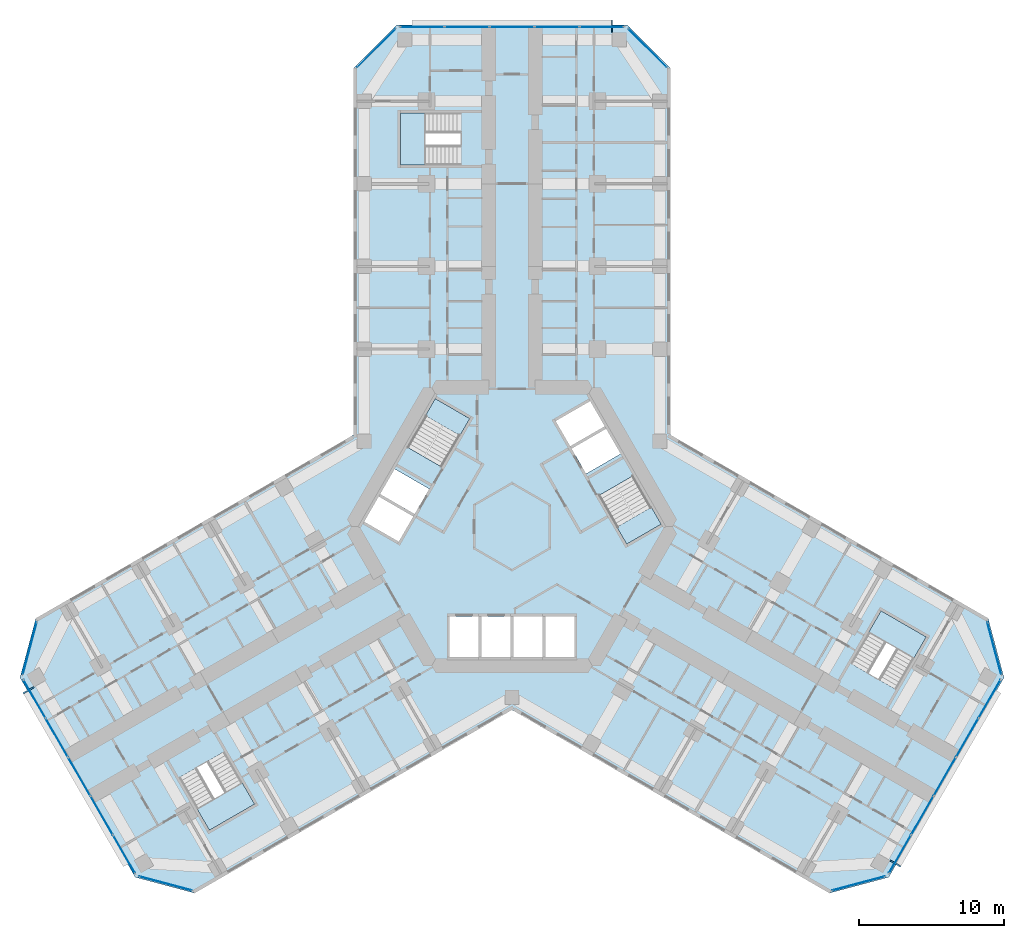
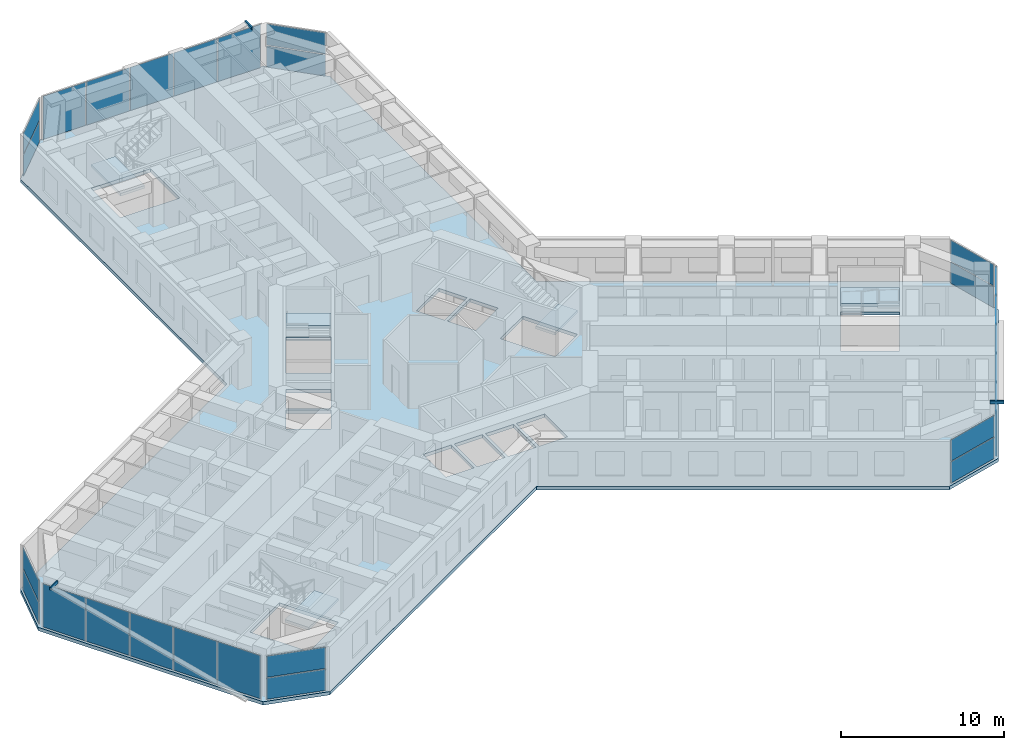
# One storey, part 9 of 21: 27 plates, 6 slabs, 3 members, 14 elements without a shape of their own.
"""IFC4 building model written with IfcOpenShell, lengths in metres."""

import ifcopenshell
import ifcopenshell.guid

model = None  # the IFC model being written
_history = None  # IfcOwnerHistory: only IFC2X3 demands one
_inside = {}  # id of a spatial element -> (the spatial element, [elements in it])
_under = {}  # id of a project, library or spatial element -> (it, [spatial elements below it])
_declared = {}  # id of a project -> (the project, [libraries it declares])
_typed = {}  # id of a type object -> (the type object, [elements of that type])
_made_of = {}  # id of a material, layer set ... -> (it, [elements and type objects made of it])


def new_model(schema):
    """Start an empty IFC model of exactly this schema.

    Asked for "IFC4X3", IfcOpenShell would pick the latest addendum, in which some entities
    have other attributes; the version numbers below select the first issue.
    IFC2X3 requires an IfcOwnerHistory on every rooted entity: one is made here for all.
    """
    global model, _history
    if schema == "IFC4X3":
        model = ifcopenshell.file(schema_version=(4, 3, 0, 0))
    else:
        model = ifcopenshell.file(schema=schema)
    _inside.clear()
    _under.clear()
    _declared.clear()
    _typed.clear()
    _made_of.clear()
    _history = None
    if model.schema == "IFC2X3":
        org = make("IfcOrganization", Name="unknown")
        user = make(
            "IfcPersonAndOrganization",
            ThePerson=make("IfcPerson", FamilyName="unknown"),
            TheOrganization=org,
        )
        app = make(
            "IfcApplication",
            ApplicationDeveloper=org,
            Version="unknown",
            ApplicationFullName="unknown",
            ApplicationIdentifier="unknown",
        )
        _history = make(
            "IfcOwnerHistory",
            OwningUser=user,
            OwningApplication=app,
            ChangeAction="ADDED",
            CreationDate=0,
        )
    return model


def make(cls, **values):
    """One entity of the class cls with the attributes given. An attribute that is None is left unset."""
    return model.create_entity(
        cls, **{name: value for name, value in values.items() if value is not None}
    )


def rooted(cls, **values):
    """An entity with a GlobalId (a new one), such as an element, a storey or a relation."""
    return make(cls, GlobalId=ifcopenshell.guid.new(), OwnerHistory=_history, **values)


def si_unit(unit_type, name, prefix=None):
    """IfcSIUnit, for example si_unit("LENGTHUNIT", "METRE", prefix="MILLI")."""
    return make("IfcSIUnit", UnitType=unit_type, Prefix=prefix, Name=name)


def assignment(units):
    """IfcUnitAssignment: the units of a project."""
    return None if units is None else make("IfcUnitAssignment", Units=units)


def point(xyz):
    """IfcCartesianPoint."""
    return None if xyz is None else make("IfcCartesianPoint", Coordinates=xyz)


def direction(xyz):
    """IfcDirection."""
    return None if xyz is None else make("IfcDirection", DirectionRatios=xyz)


def frame(location, z_axis=None, x_axis=None):
    """IfcAxis2Placement3D, a coordinate frame: its origin and axes. An axis left out is left unset."""
    return make(
        "IfcAxis2Placement3D",
        Location=point(location),
        Axis=direction(z_axis),
        RefDirection=direction(x_axis),
    )


def frame_2d(location, x_axis=None):
    """IfcAxis2Placement2D, a coordinate frame in the plane: its origin and x axis."""
    return make(
        "IfcAxis2Placement2D", Location=point(location), RefDirection=direction(x_axis)
    )


def origin():
    """The frame at (0, 0, 0) with its axes left unset."""
    return frame((0.0, 0.0, 0.0))


def origin_2d():
    """The frame at (0, 0) in the plane with its x axis left unset."""
    return frame_2d((0.0, 0.0))


def place(relative_to, where):
    """IfcLocalPlacement: puts the frame where relative to a parent placement (None: the world)."""
    return make(
        "IfcLocalPlacement", PlacementRelTo=relative_to, RelativePlacement=where
    )


def context(
    kind, dimensions, precision=None, world=None, true_north=None, identifier=None
):
    """IfcGeometricRepresentationContext, for example the 3D "Model" context."""
    return make(
        "IfcGeometricRepresentationContext",
        ContextIdentifier=identifier,
        ContextType=kind,
        CoordinateSpaceDimension=dimensions,
        Precision=precision,
        WorldCoordinateSystem=world,
        TrueNorth=true_north,
    )


def subcontext(parent, identifier, kind, view, scale=None):
    """IfcGeometricRepresentationSubContext, for example "Body" below "Model"."""
    return make(
        "IfcGeometricRepresentationSubContext",
        ContextIdentifier=identifier,
        ContextType=kind,
        ParentContext=parent,
        TargetScale=scale,
        TargetView=view,
    )


def project(units=None, contexts=None):
    """IfcProject with its units and contexts."""
    return rooted(
        "IfcProject",
        Name="project",
        RepresentationContexts=contexts,
        UnitsInContext=assignment(units),
    )


def spatial(cls, under=None, at=None, **own):
    """A site, building, storey or space (cls), placed at a placement, below another one or the project."""
    s = rooted(cls, ObjectPlacement=at, **own)
    if under is not None:
        _under.setdefault(under.id(), (under, []))[1].append(s)
    return s


def polyline(points):
    """IfcPolyline through the points."""
    return make("IfcPolyline", Points=[point(p) for p in points])


def profile(cls, at=None, kind="AREA", **sizes):
    """A parametric profile (cls). Its sizes go by their IFC names, for example OverallWidth=200.0."""
    return make(cls, ProfileType=kind, Position=at, **sizes)


def rectangle(**sizes):
    """IfcRectangleProfileDef."""
    return profile("IfcRectangleProfileDef", **sizes)


def hollow_rectangle(**sizes):
    """IfcRectangleHollowProfileDef."""
    return profile("IfcRectangleHollowProfileDef", **sizes)


def outline(outer, holes=None, kind="AREA"):
    """IfcArbitraryClosedProfileDef: a profile drawn as a closed curve; with holes, ...WithVoids."""
    if holes is None:
        return make("IfcArbitraryClosedProfileDef", ProfileType=kind, OuterCurve=outer)
    return make(
        "IfcArbitraryProfileDefWithVoids",
        ProfileType=kind,
        OuterCurve=outer,
        InnerCurves=holes,
    )


def extrude(swept, where, along, depth):
    """IfcExtrudedAreaSolid: the profile swept, set in the frame where, extruded along a direction by depth."""
    return make(
        "IfcExtrudedAreaSolid",
        SweptArea=swept,
        Position=where,
        ExtrudedDirection=direction(along),
        Depth=depth,
    )


def shape(context_of_items, identifier, shape_type, items):
    """IfcShapeRepresentation: the items that make up one representation, for example the "Body"."""
    return make(
        "IfcShapeRepresentation",
        ContextOfItems=context_of_items,
        RepresentationIdentifier=identifier,
        RepresentationType=shape_type,
        Items=items,
    )


def material(Name=None, Category=None):
    """IfcMaterial."""
    return make("IfcMaterial", Name=Name, Category=Category)


def layer(
    of_material, thickness, ventilated=None, Name=None, Category=None, Priority=None
):
    """IfcMaterialLayer: one layer of a wall or slab, of a material (None: an air gap)."""
    return make(
        "IfcMaterialLayer",
        Material=of_material,
        LayerThickness=thickness,
        IsVentilated=ventilated,
        Name=Name,
        Category=Category,
        Priority=Priority,
    )


def layer_set(layers, Name=None):
    """IfcMaterialLayerSet."""
    return make("IfcMaterialLayerSet", MaterialLayers=layers, LayerSetName=Name)


def material_profile(
    of_material, cross_section, Name=None, Category=None, Priority=None
):
    """IfcMaterialProfile: a cross section and its material."""
    return make(
        "IfcMaterialProfile",
        Name=Name,
        Material=of_material,
        Profile=cross_section,
        Priority=Priority,
        Category=Category,
    )


def profile_set(profiles, Name=None, composite=None):
    """IfcMaterialProfileSet."""
    return make(
        "IfcMaterialProfileSet",
        Name=Name,
        MaterialProfiles=profiles,
        CompositeProfile=composite,
    )


def made_of(thing, what):
    """Note that an element or type object is made of a material, layer set ...; save() writes the relation."""
    if what is not None:
        _made_of.setdefault(what.id(), (what, []))[1].append(thing)
    return thing


def type_object(cls, material=None, **own):
    """A type object (cls), such as IfcWallType, which elements share."""
    return made_of(rooted(cls, **own), material)


def element(
    cls,
    number,
    at=None,
    inside=None,
    cuts=None,
    type_object=None,
    material=None,
    context=None,
    identifier="Body",
    shape_type=None,
    held_by="IfcProductDefinitionShape",
    body=None,
    shapes=None,
    **own,
):
    """One element of the class cls, such as IfcWall. Its Tag is "e" and its number.

    at: its placement. inside: the storey or other place that contains it. cuts: it is an
    opening in that element (IfcRelVoidsElement). A single representation is given by context,
    identifier, shape_type and body (its items); several are given by shapes. held_by: the class
    of the entity that holds the representations. save() writes the other relations.
    """
    e = rooted(cls, Tag="e%d" % number, ObjectPlacement=at, **own)
    if body is not None:
        shapes = [shape(context, identifier, shape_type, body)]
    if shapes is not None:
        e.Representation = make(held_by, Representations=shapes)
    if inside is not None:
        _inside.setdefault(inside.id(), (inside, []))[1].append(e)
    if cuts is not None:
        rooted(
            "IfcRelVoidsElement", RelatingBuildingElement=cuts, RelatedOpeningElement=e
        )
    if type_object is not None:
        _typed.setdefault(type_object.id(), (type_object, []))[1].append(e)
    return made_of(e, material)


def aggregate(whole, parts):
    """IfcRelAggregates: a whole, such as a stair, and the parts it consists of."""
    return rooted("IfcRelAggregates", RelatingObject=whole, RelatedObjects=parts)


def save(model, path):
    """Write the relations noted so far, then the file.

    IfcRelAggregates (storeys below a building ...), IfcRelContainedInSpatialStructure (elements
    in a storey), IfcRelDefinesByType, IfcRelAssociatesMaterial and IfcRelDeclares: one each for
    every whole, place, type object, material and project.
    """
    for whole, parts in _under.values():
        aggregate(whole, parts)
    for where, things in _inside.values():
        rooted(
            "IfcRelContainedInSpatialStructure",
            RelatedElements=things,
            RelatingStructure=where,
        )
    for kind, things in _typed.values():
        rooted("IfcRelDefinesByType", RelatedObjects=things, RelatingType=kind)
    for what, things in _made_of.values():
        rooted("IfcRelAssociatesMaterial", RelatedObjects=things, RelatingMaterial=what)
    for by, libraries in _declared.values():
        rooted("IfcRelDeclares", RelatingContext=by, RelatedDefinitions=libraries)
    model.write(path)


model = new_model("IFC4")

# Units and contexts
model_context = context("Model", 3, precision=1e-05, world=origin(), true_north=direction((0.0, 1.0)))
body_context = subcontext(model_context, "Body", "Model", "MODEL_VIEW")
ifc_project = project(units=[si_unit("LENGTHUNIT", "METRE"), si_unit("AREAUNIT", "SQUARE_METRE"), si_unit("VOLUMEUNIT", "CUBIC_METRE"), si_unit("PLANEANGLEUNIT", "RADIAN"), si_unit("MASSUNIT", "GRAM", prefix="KILO")], contexts=[model_context])

# Site, building, storey
site_placement = place(None, origin())
site = spatial("IfcSite", under=ifc_project, at=site_placement, CompositionType="ELEMENT")
building_placement = place(site_placement, origin())
building = spatial("IfcBuilding", under=site, at=building_placement, Name="Kosmar Iwan School Tower", CompositionType="ELEMENT")
storey_placement = place(building_placement, frame((0.0, 0.0, 50.199951171875)))
storey = spatial("IfcBuildingStorey", under=building, at=storey_placement, Name="L11", CompositionType="ELEMENT", Elevation=50.199951171875)

# Members
ifc_material_1 = material(Name="Steel S355", Category="steel")
ifc_material_profile = material_profile(ifc_material_1, hollow_rectangle(XDim=0.10009765625, YDim=0.199951171875, WallThickness=0.008056640625, at=origin_2d()), Name="RHS 200x100x8")
ifc_profile_set = profile_set([ifc_material_profile], Name="Steel S355")
member_type = type_object("IfcMemberType", Name="Fin bracket RHS 200x100", PredefinedType="USERDEFINED", material=ifc_profile_set)
member_1_placement = place(storey_placement, frame((26.08154296875, -23.025634765625, 3.47509765625), z_axis=(0.865989465428, -0.500062241894, 0.0), x_axis=(0.500062241894, 0.865989465428, 0.0)))
element("IfcMember", 1, at=member_1_placement, inside=storey, type_object=member_type, Name="Fin bracket L12", ObjectType="FIN BRACKET", PredefinedType="USERDEFINED", context=body_context, shape_type="SweptSolid", body=[
    extrude(hollow_rectangle(XDim=0.10009765625, YDim=0.199951171875, WallThickness=0.008056640625, at=origin_2d()), origin(), (0.0, 0.0, 1.0), 0.85009765625),
])
member_2_placement = place(storey_placement, frame((6.89990234375, 34.10009765625, 3.47509765625), z_axis=(0.0, 1.0, 0.0), x_axis=(-1.0, 0.0, 0.0)))
element("IfcMember", 2, at=member_2_placement, inside=storey, type_object=member_type, Name="Fin bracket L12", ObjectType="FIN BRACKET", PredefinedType="USERDEFINED", context=body_context, shape_type="SweptSolid", body=[
    extrude(hollow_rectangle(XDim=0.10009765625, YDim=0.199951171875, WallThickness=0.008056640625, at=origin_2d()), origin(), (0.0, 0.0, 1.0), 0.849853515625),
])
member_3_placement = place(storey_placement, frame((-32.9814453125, -11.074462890625, 3.47509765625), z_axis=(-0.865989465428, -0.500062241894, 0.0), x_axis=(0.500062241894, -0.865989465428, 0.0)))
element("IfcMember", 3, at=member_3_placement, inside=storey, type_object=member_type, Name="Fin bracket L12", ObjectType="FIN BRACKET", PredefinedType="USERDEFINED", context=body_context, shape_type="SweptSolid", body=[
    extrude(hollow_rectangle(XDim=0.10009765625, YDim=0.199951171875, WallThickness=0.008056640625, at=origin_2d()), origin(), (0.0, 0.0, 1.0), 0.85009765625),
])

# Curtain wall, plates
ifc_material_2 = material(Name="Dark glass in black aluminium frame", Category="aluminium")
curtain_wall_type_1 = type_object("IfcCurtainWallType", Name="Chamfer curtain wall dark glass", PredefinedType="USERDEFINED", material=ifc_material_2)
curtain_wall_1_placement = place(storey_placement, origin())
curtain_wall_1 = element("IfcCurtainWall", 4, at=curtain_wall_1_placement, inside=storey, type_object=curtain_wall_type_1, Name="Curtain wall L11-F02", ObjectType="FACETED CURTAIN WALL", PredefinedType="USERDEFINED")
ifc_material_3 = material(Name="Dark glass", Category="glass")
ifc_layer_1 = layer(ifc_material_3, 0.028076171875)
ifc_layer_set_1 = layer_set([ifc_layer_1], Name="Dark glass panel 28")
plate_type = type_object("IfcPlateType", Name="Dark glass panel 28", PredefinedType="CURTAIN_PANEL", material=ifc_layer_set_1)
plate_1_placement = place(storey_placement, frame((23.908203125, -24.61328125, 0.06005859375), z_axis=(0.0, 0.0, 1.0), x_axis=(0.965925875495, 0.258818861462, 0.0)))
plate_1 = element("IfcPlate", 5, at=plate_1_placement, type_object=plate_type, Name="CW2 panel 1.1", PredefinedType="CURTAIN_PANEL", context=body_context, shape_type="SweptSolid", body=[
    extrude(rectangle(XDim=3.718994140625, YDim=0.028076171875, at=origin_2d()), origin(), (0.0, 0.0, 1.0), 1.5849609375),
])
plate_2_placement = place(storey_placement, frame((23.908203125, -24.61328125, 1.705078125), z_axis=(0.0, 0.0, 1.0), x_axis=(0.965925875495, 0.258818861462, 0.0)))
plate_2 = element("IfcPlate", 6, at=plate_2_placement, type_object=plate_type, Name="CW2 panel 1.2", PredefinedType="CURTAIN_PANEL", context=body_context, shape_type="SweptSolid", body=[
    extrude(rectangle(XDim=3.718994140625, YDim=0.028076171875, at=origin_2d()), origin(), (0.0, 0.0, 1.0), 1.5849609375),
])
aggregate(curtain_wall_1, [plate_1, plate_2])

ifc_material_4 = material(Name="Dark glass in black aluminium frame", Category="aluminium")
curtain_wall_type_2 = type_object("IfcCurtainWallType", Name="Tower curtain wall dark glass", PredefinedType="USERDEFINED", material=ifc_material_4)
curtain_wall_2_placement = place(storey_placement, origin())
curtain_wall_2 = element("IfcCurtainWall", 7, at=curtain_wall_2_placement, inside=storey, type_object=curtain_wall_type_2, Name="Curtain wall L11-F03", ObjectType="UNITISED CURTAIN WALL", PredefinedType="USERDEFINED")
plate_3_placement = place(storey_placement, frame((26.764404296875, -22.592529296875, 0.06005859375), z_axis=(0.0, 0.0, 1.0), x_axis=(0.499999997325, 0.866025405329, 0.0)))
plate_3 = element("IfcPlate", 8, at=plate_3_placement, type_object=plate_type, Name="CW1 panel 1.1", PredefinedType="CURTAIN_PANEL", context=body_context, shape_type="SweptSolid", body=[
    extrude(rectangle(XDim=3.00927734375, YDim=0.028076171875, at=origin_2d()), origin(), (0.0, 0.0, 1.0), 3.22998046875),
])
plate_4_placement = place(storey_placement, frame((28.306640625, -19.921630859375, 0.06005859375), z_axis=(0.0, 0.0, 1.0), x_axis=(0.499999997325, 0.866025405329, 0.0)))
plate_4 = element("IfcPlate", 9, at=plate_4_placement, type_object=plate_type, Name="CW1 panel 2.1", PredefinedType="CURTAIN_PANEL", context=body_context, shape_type="SweptSolid", body=[
    extrude(rectangle(XDim=3.039306640625, YDim=0.028076171875, at=origin_2d()), origin(), (0.0, 0.0, 1.0), 3.22998046875),
])
plate_5_placement = place(storey_placement, frame((29.856201171875, -17.237548828125, 0.06005859375), z_axis=(0.0, 0.0, 1.0), x_axis=(0.499999997325, 0.866025405329, 0.0)))
plate_5 = element("IfcPlate", 10, at=plate_5_placement, type_object=plate_type, Name="CW1 panel 3.1", PredefinedType="CURTAIN_PANEL", context=body_context, shape_type="SweptSolid", body=[
    extrude(rectangle(XDim=3.039306640625, YDim=0.028076171875, at=origin_2d()), origin(), (0.0, 0.0, 1.0), 3.22998046875),
])
plate_6_placement = place(storey_placement, frame((31.40576171875, -14.553466796875, 0.06005859375), z_axis=(0.0, 0.0, 1.0), x_axis=(0.499999997325, 0.866025405329, 0.0)))
plate_6 = element("IfcPlate", 11, at=plate_6_placement, type_object=plate_type, Name="CW1 panel 4.1", PredefinedType="CURTAIN_PANEL", context=body_context, shape_type="SweptSolid", body=[
    extrude(rectangle(XDim=3.039306640625, YDim=0.028076171875, at=origin_2d()), origin(), (0.0, 0.0, 1.0), 3.22998046875),
])
plate_7_placement = place(storey_placement, frame((32.947998046875, -11.88232421875, 0.06005859375), z_axis=(0.0, 0.0, 1.0), x_axis=(0.499999997325, 0.866025405329, 0.0)))
plate_7 = element("IfcPlate", 12, at=plate_7_placement, type_object=plate_type, Name="CW1 panel 5.1", PredefinedType="CURTAIN_PANEL", context=body_context, shape_type="SweptSolid", body=[
    extrude(rectangle(XDim=3.00927734375, YDim=0.028076171875, at=origin_2d()), origin(), (0.0, 0.0, 1.0), 3.22998046875),
])
aggregate(curtain_wall_2, [plate_3, plate_4, plate_5, plate_6, plate_7])

curtain_wall_3_placement = place(storey_placement, origin())
curtain_wall_3 = element("IfcCurtainWall", 13, at=curtain_wall_3_placement, inside=storey, type_object=curtain_wall_type_1, Name="Curtain wall L11-F04", ObjectType="FACETED CURTAIN WALL", PredefinedType="USERDEFINED")
plate_8_placement = place(storey_placement, frame((33.269775390625, -8.3984375, 0.06005859375), z_axis=(0.0, 0.0, 1.0), x_axis=(-0.258818861462, 0.965925875495, 0.0)))
plate_8 = element("IfcPlate", 14, at=plate_8_placement, type_object=plate_type, Name="CW2 panel 1.1", PredefinedType="CURTAIN_PANEL", context=body_context, shape_type="SweptSolid", body=[
    extrude(rectangle(XDim=3.718994140625, YDim=0.028076171875, at=origin_2d()), origin(), (0.0, 0.0, 1.0), 1.5849609375),
])
plate_9_placement = place(storey_placement, frame((33.269775390625, -8.3984375, 1.705078125), z_axis=(0.0, 0.0, 1.0), x_axis=(-0.258818861462, 0.965925875495, 0.0)))
plate_9 = element("IfcPlate", 15, at=plate_9_placement, type_object=plate_type, Name="CW2 panel 1.2", PredefinedType="CURTAIN_PANEL", context=body_context, shape_type="SweptSolid", body=[
    extrude(rectangle(XDim=3.718994140625, YDim=0.028076171875, at=origin_2d()), origin(), (0.0, 0.0, 1.0), 1.5849609375),
])
aggregate(curtain_wall_3, [plate_8, plate_9])

curtain_wall_4_placement = place(storey_placement, origin())
curtain_wall_4 = element("IfcCurtainWall", 16, at=curtain_wall_4_placement, inside=storey, type_object=curtain_wall_type_1, Name="Curtain wall L11-F07", ObjectType="FACETED CURTAIN WALL", PredefinedType="USERDEFINED")
plate_10_placement = place(storey_placement, frame((9.361572265625, 33.01171875, 0.06005859375), z_axis=(0.0, 0.0, 1.0), x_axis=(-0.707106781187, 0.707106781187, 0.0)))
plate_10 = element("IfcPlate", 17, at=plate_10_placement, type_object=plate_type, Name="CW2 panel 1.1", PredefinedType="CURTAIN_PANEL", context=body_context, shape_type="SweptSolid", body=[
    extrude(rectangle(XDim=3.718994140625, YDim=0.028076171875, at=origin_2d()), origin(), (0.0, 0.0, 1.0), 1.5849609375),
])
plate_11_placement = place(storey_placement, frame((9.361572265625, 33.01171875, 1.705078125), z_axis=(0.0, 0.0, 1.0), x_axis=(-0.707106781187, 0.707106781187, 0.0)))
plate_11 = element("IfcPlate", 18, at=plate_11_placement, type_object=plate_type, Name="CW2 panel 1.2", PredefinedType="CURTAIN_PANEL", context=body_context, shape_type="SweptSolid", body=[
    extrude(rectangle(XDim=3.718994140625, YDim=0.028076171875, at=origin_2d()), origin(), (0.0, 0.0, 1.0), 1.5849609375),
])
aggregate(curtain_wall_4, [plate_10, plate_11])

curtain_wall_5_placement = place(storey_placement, origin())
curtain_wall_5 = element("IfcCurtainWall", 19, at=curtain_wall_5_placement, inside=storey, type_object=curtain_wall_type_2, Name="Curtain wall L11-F08", ObjectType="UNITISED CURTAIN WALL", PredefinedType="USERDEFINED")
plate_12_placement = place(storey_placement, frame((6.18359375, 34.47509765625, 0.06005859375), z_axis=(0.0, 0.0, 1.0), x_axis=(-1.0, 0.0, 0.0)))
plate_12 = element("IfcPlate", 20, at=plate_12_placement, type_object=plate_type, Name="CW1 panel 1.1", PredefinedType="CURTAIN_PANEL", context=body_context, shape_type="SweptSolid", body=[
    extrude(rectangle(XDim=3.00927734375, YDim=0.028076171875, at=origin_2d()), origin(), (0.0, 0.0, 1.0), 3.22998046875),
])
plate_13_placement = place(storey_placement, frame((3.099365234375, 34.47509765625, 0.06005859375), z_axis=(0.0, 0.0, 1.0), x_axis=(-1.0, 0.0, 0.0)))
plate_13 = element("IfcPlate", 21, at=plate_13_placement, type_object=plate_type, Name="CW1 panel 2.1", PredefinedType="CURTAIN_PANEL", context=body_context, shape_type="SweptSolid", body=[
    extrude(rectangle(XDim=3.039306640625, YDim=0.028076171875, at=origin_2d()), origin(), (0.0, 0.0, 1.0), 3.22998046875),
])
plate_14_placement = place(storey_placement, frame((0.0, 34.47509765625, 0.06005859375), z_axis=(0.0, 0.0, 1.0), x_axis=(-1.0, 0.0, 0.0)))
plate_14 = element("IfcPlate", 22, at=plate_14_placement, type_object=plate_type, Name="CW1 panel 3.1", PredefinedType="CURTAIN_PANEL", context=body_context, shape_type="SweptSolid", body=[
    extrude(rectangle(XDim=3.039306640625, YDim=0.028076171875, at=origin_2d()), origin(), (0.0, 0.0, 1.0), 3.22998046875),
])
plate_15_placement = place(storey_placement, frame((-3.099365234375, 34.47509765625, 0.06005859375), z_axis=(0.0, 0.0, 1.0), x_axis=(-1.0, 0.0, 0.0)))
plate_15 = element("IfcPlate", 23, at=plate_15_placement, type_object=plate_type, Name="CW1 panel 4.1", PredefinedType="CURTAIN_PANEL", context=body_context, shape_type="SweptSolid", body=[
    extrude(rectangle(XDim=3.039306640625, YDim=0.028076171875, at=origin_2d()), origin(), (0.0, 0.0, 1.0), 3.22998046875),
])
plate_16_placement = place(storey_placement, frame((-6.18359375, 34.47509765625, 0.06005859375), z_axis=(0.0, 0.0, 1.0), x_axis=(-1.0, 0.0, 0.0)))
plate_16 = element("IfcPlate", 24, at=plate_16_placement, type_object=plate_type, Name="CW1 panel 5.1", PredefinedType="CURTAIN_PANEL", context=body_context, shape_type="SweptSolid", body=[
    extrude(rectangle(XDim=3.00927734375, YDim=0.028076171875, at=origin_2d()), origin(), (0.0, 0.0, 1.0), 3.22998046875),
])
aggregate(curtain_wall_5, [plate_12, plate_13, plate_14, plate_15, plate_16])

curtain_wall_6_placement = place(storey_placement, origin())
curtain_wall_6 = element("IfcCurtainWall", 25, at=curtain_wall_6_placement, inside=storey, type_object=curtain_wall_type_1, Name="Curtain wall L11-F09", ObjectType="FACETED CURTAIN WALL", PredefinedType="USERDEFINED")
plate_17_placement = place(storey_placement, frame((-9.361572265625, 33.01171875, 0.06005859375), z_axis=(0.0, 0.0, 1.0), x_axis=(-0.707106781187, -0.707106781187, 0.0)))
plate_17 = element("IfcPlate", 26, at=plate_17_placement, type_object=plate_type, Name="CW2 panel 1.1", PredefinedType="CURTAIN_PANEL", context=body_context, shape_type="SweptSolid", body=[
    extrude(rectangle(XDim=3.718994140625, YDim=0.028076171875, at=origin_2d()), origin(), (0.0, 0.0, 1.0), 1.5849609375),
])
plate_18_placement = place(storey_placement, frame((-9.361572265625, 33.01171875, 1.705078125), z_axis=(0.0, 0.0, 1.0), x_axis=(-0.707106781187, -0.707106781187, 0.0)))
plate_18 = element("IfcPlate", 27, at=plate_18_placement, type_object=plate_type, Name="CW2 panel 1.2", PredefinedType="CURTAIN_PANEL", context=body_context, shape_type="SweptSolid", body=[
    extrude(rectangle(XDim=3.718994140625, YDim=0.028076171875, at=origin_2d()), origin(), (0.0, 0.0, 1.0), 1.5849609375),
])
aggregate(curtain_wall_6, [plate_17, plate_18])

curtain_wall_7_placement = place(storey_placement, origin())
curtain_wall_7 = element("IfcCurtainWall", 28, at=curtain_wall_7_placement, inside=storey, type_object=curtain_wall_type_1, Name="Curtain wall L11-F12", ObjectType="FACETED CURTAIN WALL", PredefinedType="USERDEFINED")
plate_19_placement = place(storey_placement, frame((-33.269775390625, -8.3984375, 0.06005859375), z_axis=(0.0, 0.0, 1.0), x_axis=(-0.258818861462, -0.965925875495, 0.0)))
plate_19 = element("IfcPlate", 29, at=plate_19_placement, type_object=plate_type, Name="CW2 panel 1.1", PredefinedType="CURTAIN_PANEL", context=body_context, shape_type="SweptSolid", body=[
    extrude(rectangle(XDim=3.718994140625, YDim=0.028076171875, at=origin_2d()), origin(), (0.0, 0.0, 1.0), 1.5849609375),
])
plate_20_placement = place(storey_placement, frame((-33.269775390625, -8.3984375, 1.705078125), z_axis=(0.0, 0.0, 1.0), x_axis=(-0.258818861462, -0.965925875495, 0.0)))
plate_20 = element("IfcPlate", 30, at=plate_20_placement, type_object=plate_type, Name="CW2 panel 1.2", PredefinedType="CURTAIN_PANEL", context=body_context, shape_type="SweptSolid", body=[
    extrude(rectangle(XDim=3.718994140625, YDim=0.028076171875, at=origin_2d()), origin(), (0.0, 0.0, 1.0), 1.5849609375),
])
aggregate(curtain_wall_7, [plate_19, plate_20])

curtain_wall_8_placement = place(storey_placement, origin())
curtain_wall_8 = element("IfcCurtainWall", 31, at=curtain_wall_8_placement, inside=storey, type_object=curtain_wall_type_2, Name="Curtain wall L11-F13", ObjectType="UNITISED CURTAIN WALL", PredefinedType="USERDEFINED")
plate_21_placement = place(storey_placement, frame((-32.947998046875, -11.88232421875, 0.06005859375), z_axis=(0.0, 0.0, 1.0), x_axis=(0.499999997325, -0.866025405329, 0.0)))
plate_21 = element("IfcPlate", 32, at=plate_21_placement, type_object=plate_type, Name="CW1 panel 1.1", PredefinedType="CURTAIN_PANEL", context=body_context, shape_type="SweptSolid", body=[
    extrude(rectangle(XDim=3.00927734375, YDim=0.028076171875, at=origin_2d()), origin(), (0.0, 0.0, 1.0), 3.22998046875),
])
plate_22_placement = place(storey_placement, frame((-31.40576171875, -14.553466796875, 0.06005859375), z_axis=(0.0, 0.0, 1.0), x_axis=(0.499999997325, -0.866025405329, 0.0)))
plate_22 = element("IfcPlate", 33, at=plate_22_placement, type_object=plate_type, Name="CW1 panel 2.1", PredefinedType="CURTAIN_PANEL", context=body_context, shape_type="SweptSolid", body=[
    extrude(rectangle(XDim=3.039306640625, YDim=0.028076171875, at=origin_2d()), origin(), (0.0, 0.0, 1.0), 3.22998046875),
])
plate_23_placement = place(storey_placement, frame((-29.856201171875, -17.237548828125, 0.06005859375), z_axis=(0.0, 0.0, 1.0), x_axis=(0.499999997325, -0.866025405329, 0.0)))
plate_23 = element("IfcPlate", 34, at=plate_23_placement, type_object=plate_type, Name="CW1 panel 3.1", PredefinedType="CURTAIN_PANEL", context=body_context, shape_type="SweptSolid", body=[
    extrude(rectangle(XDim=3.039306640625, YDim=0.028076171875, at=origin_2d()), origin(), (0.0, 0.0, 1.0), 3.22998046875),
])
plate_24_placement = place(storey_placement, frame((-28.306640625, -19.921630859375, 0.06005859375), z_axis=(0.0, 0.0, 1.0), x_axis=(0.499999997325, -0.866025405329, 0.0)))
plate_24 = element("IfcPlate", 35, at=plate_24_placement, type_object=plate_type, Name="CW1 panel 4.1", PredefinedType="CURTAIN_PANEL", context=body_context, shape_type="SweptSolid", body=[
    extrude(rectangle(XDim=3.039306640625, YDim=0.028076171875, at=origin_2d()), origin(), (0.0, 0.0, 1.0), 3.22998046875),
])
plate_25_placement = place(storey_placement, frame((-26.764404296875, -22.592529296875, 0.06005859375), z_axis=(0.0, 0.0, 1.0), x_axis=(0.499999997325, -0.866025405329, 0.0)))
plate_25 = element("IfcPlate", 36, at=plate_25_placement, type_object=plate_type, Name="CW1 panel 5.1", PredefinedType="CURTAIN_PANEL", context=body_context, shape_type="SweptSolid", body=[
    extrude(rectangle(XDim=3.00927734375, YDim=0.028076171875, at=origin_2d()), origin(), (0.0, 0.0, 1.0), 3.22998046875),
])
aggregate(curtain_wall_8, [plate_21, plate_22, plate_23, plate_24, plate_25])

curtain_wall_9_placement = place(storey_placement, origin())
curtain_wall_9 = element("IfcCurtainWall", 37, at=curtain_wall_9_placement, inside=storey, type_object=curtain_wall_type_1, Name="Curtain wall L11-F14", ObjectType="FACETED CURTAIN WALL", PredefinedType="USERDEFINED")
plate_26_placement = place(storey_placement, frame((-23.908203125, -24.61328125, 0.06005859375), z_axis=(0.0, 0.0, 1.0), x_axis=(0.965925875495, -0.258818861462, 0.0)))
plate_26 = element("IfcPlate", 38, at=plate_26_placement, type_object=plate_type, Name="CW2 panel 1.1", PredefinedType="CURTAIN_PANEL", context=body_context, shape_type="SweptSolid", body=[
    extrude(rectangle(XDim=3.718994140625, YDim=0.028076171875, at=origin_2d()), origin(), (0.0, 0.0, 1.0), 1.5849609375),
])
plate_27_placement = place(storey_placement, frame((-23.908203125, -24.61328125, 1.705078125), z_axis=(0.0, 0.0, 1.0), x_axis=(0.965925875495, -0.258818861462, 0.0)))
plate_27 = element("IfcPlate", 39, at=plate_27_placement, type_object=plate_type, Name="CW2 panel 1.2", PredefinedType="CURTAIN_PANEL", context=body_context, shape_type="SweptSolid", body=[
    extrude(rectangle(XDim=3.718994140625, YDim=0.028076171875, at=origin_2d()), origin(), (0.0, 0.0, 1.0), 1.5849609375),
])
aggregate(curtain_wall_9, [plate_26, plate_27])

# Stair, slab
ifc_material_5 = material(Name="Concrete C35/45", Category="concrete")
stair_type_1 = type_object("IfcStairType", Name="Escape stair 3600", PredefinedType="HALF_TURN_STAIR", material=ifc_material_5)
stair_1_placement = place(storey_placement, origin())
stair_1 = element("IfcStair", 40, at=stair_1_placement, inside=storey, type_object=stair_type_1, Name="Stair WS1 L11", PredefinedType="HALF_TURN_STAIR")
ifc_material_6 = material(Name="Concrete C35/45", Category="concrete")
ifc_layer_2 = layer(ifc_material_6, 0.199951171875)
ifc_layer_set_2 = layer_set([ifc_layer_2], Name="Escape stair landing 200")
slab_type_1 = type_object("IfcSlabType", Name="Escape stair landing 200", PredefinedType="LANDING", material=ifc_layer_set_2)
slab_1_placement = place(storey_placement, frame((0.0, 0.0, 1.60009765625)))
slab_1 = element("IfcSlab", 41, at=slab_1_placement, type_object=slab_type_1, Name="WS1 landing 1", PredefinedType="LANDING", context=body_context, shape_type="SweptSolid", body=[
    extrude(outline(polyline([(-6.0, 24.949951171875), (-6.0, 28.550048828125), (-7.699951171875, 28.550048828125), (-7.699951171875, 24.949951171875), (-6.0, 24.949951171875)])), origin(), (0.0, 0.0, 1.0), 0.199951171875),
])
aggregate(stair_1, [slab_1])

stair_2_placement = place(storey_placement, origin())
stair_2 = element("IfcStair", 42, at=stair_2_placement, inside=storey, type_object=stair_type_1, Name="Stair WS2 L11", PredefinedType="HALF_TURN_STAIR")
slab_2_placement = place(storey_placement, frame((0.0, 0.0, 1.60009765625)))
slab_2 = element("IfcSlab", 43, at=slab_2_placement, type_object=slab_type_1, Name="WS2 landing 1", PredefinedType="LANDING", context=body_context, shape_type="SweptSolid", body=[
    extrude(outline(polyline([(-18.607421875, -17.671142578125), (-21.72509765625, -19.47119140625), (-20.875, -20.943359375), (-17.75732421875, -19.143310546875), (-18.607421875, -17.671142578125)])), origin(), (0.0, 0.0, 1.0), 0.199951171875),
])
aggregate(stair_2, [slab_2])

stair_3_placement = place(storey_placement, origin())
stair_3 = element("IfcStair", 44, at=stair_3_placement, inside=storey, type_object=stair_type_1, Name="Stair WS3 L11", PredefinedType="HALF_TURN_STAIR")
slab_3_placement = place(storey_placement, frame((0.0, 0.0, 1.60009765625)))
slab_3 = element("IfcSlab", 45, at=slab_3_placement, type_object=slab_type_1, Name="WS3 landing 1", PredefinedType="LANDING", context=body_context, shape_type="SweptSolid", body=[
    extrude(outline(polyline([(24.607421875, -7.27880859375), (27.72509765625, -9.078857421875), (28.574951171875, -7.606689453125), (25.457275390625, -5.806640625), (24.607421875, -7.27880859375)])), origin(), (0.0, 0.0, 1.0), 0.199951171875),
])
aggregate(stair_3, [slab_3])

# Slab
ifc_material_7 = material(Name="Concrete C35/45", Category="concrete")
ifc_layer_3 = layer(ifc_material_7, 0.25)
ifc_layer_set_3 = layer_set([ifc_layer_3], Name="Floor slab 250")
slab_type_2 = type_object("IfcSlabType", Name="Floor slab 250", PredefinedType="FLOOR", material=ifc_layer_set_3)
slab_4_placement = place(storey_placement, frame((0.0, 0.0, -0.25)))
element("IfcSlab", 46, at=slab_4_placement, inside=storey, type_object=slab_type_2, Name="L11 floor slab", PredefinedType="FLOOR", context=body_context, shape_type="SweptSolid", body=[
    extrude(outline(polyline([(-21.891357421875, -25.282958984375), (0.0, -12.64404296875), (21.891357421875, -25.282958984375), (25.989501953125, -24.184814453125), (33.939453125, -10.4150390625), (32.84130859375, -6.317138671875), (10.949951171875, 6.322021484375), (10.949951171875, 31.60009765625), (7.949951171875, 34.60009765625), (-7.949951171875, 34.60009765625), (-10.949951171875, 31.60009765625), (-10.949951171875, 6.322021484375), (-32.84130859375, -6.317138671875), (-33.939453125, -10.4150390625), (-25.989501953125, -24.184814453125), (-21.891357421875, -25.282958984375)]), holes=[polyline([(7.91259765625, -1.205078125), (10.294189453125, 0.169921875), (8.3642578125, 3.5126953125), (5.982666015625, 2.1376953125), (7.91259765625, -1.205078125)]), polyline([(-2.91259765625, 7.455078125), (-5.294189453125, 8.830078125), (-7.22412109375, 5.4873046875), (-4.8427734375, 4.1123046875), (-2.91259765625, 7.455078125)]), polyline([(-5.712646484375, 2.60546875), (-8.09423828125, 3.98046875), (-9.09423828125, 2.248291015625), (-6.712646484375, 0.873291015625), (-5.712646484375, 2.60546875)]), polyline([(-6.812744140625, 0.7001953125), (-9.1943359375, 2.0751953125), (-10.1943359375, 0.343017578125), (-7.812744140625, -1.031982421875), (-6.812744140625, 0.7001953125)]), polyline([(5.112548828125, 3.64453125), (7.494140625, 5.01953125), (6.494140625, 6.751708984375), (4.112548828125, 5.376708984375), (5.112548828125, 3.64453125)]), polyline([(4.0126953125, 5.5498046875), (6.394287109375, 6.9248046875), (5.394287109375, 8.656982421875), (3.0126953125, 7.281982421875), (4.0126953125, 5.5498046875)]), polyline([(-4.300048828125, -6.199951171875), (-4.300048828125, -9.0), (-2.300048828125, -9.0), (-2.300048828125, -6.199951171875), (-4.300048828125, -6.199951171875)]), polyline([(-2.10009765625, -6.199951171875), (-2.10009765625, -9.0), (-0.10009765625, -9.0), (-0.10009765625, -6.199951171875), (-2.10009765625, -6.199951171875)]), polyline([(0.10009765625, -6.199951171875), (0.10009765625, -9.0), (2.10009765625, -9.0), (2.10009765625, -6.199951171875), (0.10009765625, -6.199951171875)]), polyline([(2.300048828125, -6.199951171875), (2.300048828125, -9.0), (4.300048828125, -9.0), (4.300048828125, -6.199951171875), (2.300048828125, -6.199951171875)]), polyline([(-3.52001953125, 24.949951171875), (-3.52001953125, 28.550048828125), (-7.699951171875, 28.550048828125), (-7.699951171875, 24.949951171875), (-3.52001953125, 24.949951171875)]), polyline([(-19.847412109375, -15.5234375), (-22.965087890625, -17.323486328125), (-20.875, -20.943359375), (-17.75732421875, -19.143310546875), (-19.847412109375, -15.5234375)]), polyline([(23.367431640625, -9.426513671875), (26.485107421875, -11.2265625), (28.574951171875, -7.606689453125), (25.457275390625, -5.806640625), (23.367431640625, -9.426513671875)])]), origin(), (0.0, 0.0, 1.0), 0.25),
])

# Stair, slab
ifc_material_8 = material(Name="Concrete C35/45", Category="concrete")
stair_type_2 = type_object("IfcStairType", Name="Core stair 2750", PredefinedType="HALF_TURN_STAIR", material=ifc_material_8)
stair_4_placement = place(storey_placement, origin())
stair_4 = element("IfcStair", 47, at=stair_4_placement, inside=storey, type_object=stair_type_2, Name="Stair ST2 L11", PredefinedType="HALF_TURN_STAIR")
ifc_material_9 = material(Name="Concrete C35/45", Category="concrete")
ifc_layer_4 = layer(ifc_material_9, 0.199951171875)
ifc_layer_set_4 = layer_set([ifc_layer_4], Name="Stair landing 200")
slab_type_3 = type_object("IfcSlabType", Name="Stair landing 200", PredefinedType="LANDING", material=ifc_layer_set_4)
slab_5_placement = place(storey_placement, frame((0.0, 0.0, 1.60009765625)))
slab_5 = element("IfcSlab", 48, at=slab_5_placement, type_object=slab_type_3, Name="ST2 landing 1", PredefinedType="LANDING", context=body_context, shape_type="SweptSolid", body=[
    extrude(outline(polyline([(-2.91259765625, 7.455078125), (-5.294189453125, 8.830078125), (-5.97412109375, 7.65234375), (-3.5927734375, 6.27734375), (-2.91259765625, 7.455078125)])), origin(), (0.0, 0.0, 1.0), 0.199951171875),
])
aggregate(stair_4, [slab_5])

stair_5_placement = place(storey_placement, origin())
stair_5 = element("IfcStair", 49, at=stair_5_placement, inside=storey, type_object=stair_type_2, Name="Stair ST1 L11", PredefinedType="HALF_TURN_STAIR")
slab_6_placement = place(storey_placement, frame((0.0, 0.0, 1.60009765625)))
slab_6 = element("IfcSlab", 50, at=slab_6_placement, type_object=slab_type_3, Name="ST1 landing 1", PredefinedType="LANDING", context=body_context, shape_type="SweptSolid", body=[
    extrude(outline(polyline([(7.91259765625, -1.205078125), (10.294189453125, 0.169921875), (9.6142578125, 1.34765625), (7.232666015625, -0.02734375), (7.91259765625, -1.205078125)])), origin(), (0.0, 0.0, 1.0), 0.199951171875),
])
aggregate(stair_5, [slab_6])

save(model, "model.ifc")
